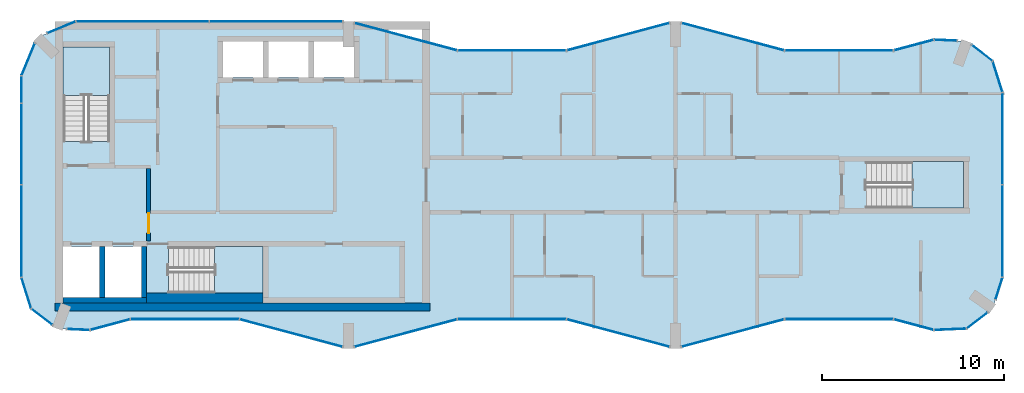
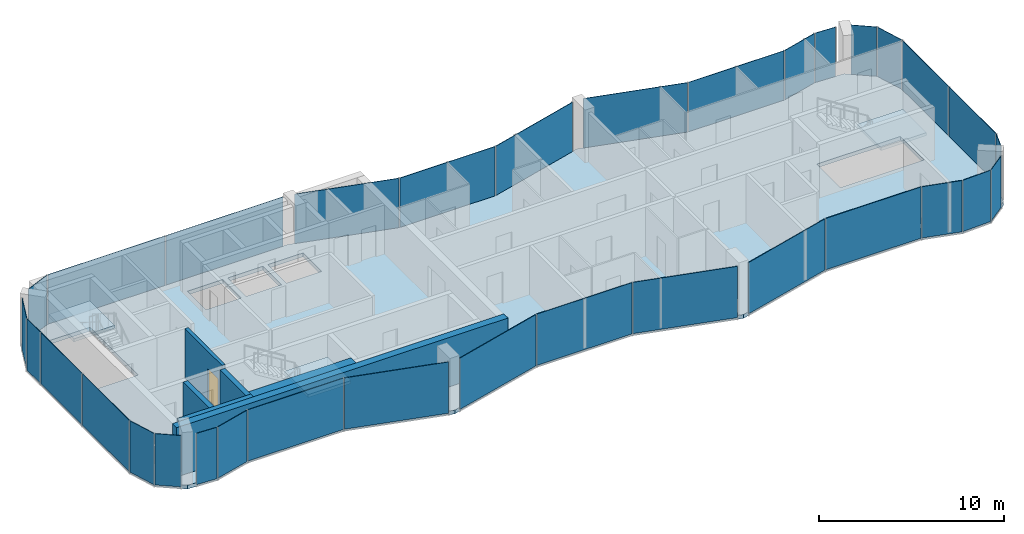
# One storey, part 6 of 10: 33 plates, 6 walls, 4 slabs, 1 door, 1 opening, 32 elements without a shape of their own.
"""IFC4 building model written with IfcOpenShell, lengths in metres."""

from ifc_helpers import new_model, si_unit, direction, frame, frame_2d, origin, origin_2d, place, context, subcontext, project, spatial, polyline, rectangle, outline, extrude, material, layer, layer_set, type_object, element, fill, aggregate, save


model = new_model("IFC4")

# Units and contexts
model_context = context("Model", 3, precision=1e-05, world=origin(), true_north=direction((0.0, 1.0)))
body_context = subcontext(model_context, "Body", "Model", "MODEL_VIEW")
ifc_project = project(units=[si_unit("LENGTHUNIT", "METRE"), si_unit("AREAUNIT", "SQUARE_METRE"), si_unit("VOLUMEUNIT", "CUBIC_METRE"), si_unit("PLANEANGLEUNIT", "RADIAN"), si_unit("MASSUNIT", "GRAM", prefix="KILO")], contexts=[model_context])

# Site, building, storey
site_placement = place(None, origin())
site = spatial("IfcSite", under=ifc_project, at=site_placement, CompositionType="ELEMENT")
building_placement = place(site_placement, origin())
building = spatial("IfcBuilding", under=site, at=building_placement, Name="Plateau Cross Towers", CompositionType="ELEMENT")
storey_placement = place(building_placement, frame((0.0, 0.0, 280.89990234375)))
storey = spatial("IfcBuildingStorey", under=building, at=storey_placement, Name="L74", CompositionType="ELEMENT", Elevation=280.89990234375)

# Curtain wall, plate
ifc_material_1 = material(Name="Dark low-iron glass", Category="glass")
ifc_layer_1 = layer(ifc_material_1, 0.239990234375)
ifc_layer_set_1 = layer_set([ifc_layer_1], Name="Dark low-iron glass")
curtain_wall_type_1 = type_object("IfcCurtainWallType", Name="Curtain wall flush unitised CW-B", PredefinedType="NOTDEFINED", material=ifc_layer_set_1)
curtain_wall_1_placement = place(storey_placement, origin())
curtain_wall_1 = element("IfcCurtainWall", 1, at=curtain_wall_1_placement, inside=storey, type_object=curtain_wall_type_1, Name="ENV/A/L74/A502_10", PredefinedType="NOTDEFINED")
ifc_layer_2 = layer(ifc_material_1, 0.031982421875)
ifc_layer_set_2 = layer_set([ifc_layer_2], Name="Dark low-iron glass")
plate_type_1 = type_object("IfcPlateType", Name="Glass panel 32 flush unitised", PredefinedType="CURTAIN_PANEL", material=ifc_layer_set_2)
plate_1_placement = place(storey_placement, frame((51.125, 1.05078125, -0.1298828125), z_axis=(0.0, 0.0, 1.0), x_axis=(0.999043701491, 0.043722791671, 0.0)))
plate_1 = element("IfcPlate", 2, at=plate_1_placement, type_object=plate_type_1, Name="CW-B panel 1", PredefinedType="CURTAIN_PANEL", context=body_context, shape_type="SweptSolid", body=[
    extrude(rectangle(XDim=1.744140625, YDim=0.031982421875, at=origin_2d()), origin(), (0.0, 0.0, 1.0), 3.3798828125),
])
aggregate(curtain_wall_1, [plate_1])

curtain_wall_2_placement = place(storey_placement, origin())
curtain_wall_2 = element("IfcCurtainWall", 3, at=curtain_wall_2_placement, inside=storey, type_object=curtain_wall_type_1, Name="ENV/A/L74/A520_11", PredefinedType="NOTDEFINED")
plate_2_placement = place(storey_placement, frame((52.60986328125, 1.5380859375, -0.1298828125), z_axis=(0.0, 0.0, 1.0), x_axis=(0.793315514529, 0.608810721331, 0.0)))
plate_2 = element("IfcPlate", 4, at=plate_2_placement, type_object=plate_type_1, Name="CW-B panel 1", PredefinedType="CURTAIN_PANEL", context=body_context, shape_type="SweptSolid", body=[
    extrude(rectangle(XDim=1.41162109375, YDim=0.031982421875, at=origin_2d()), origin(), (0.0, 0.0, 1.0), 3.3798828125),
])
aggregate(curtain_wall_2, [plate_2])

curtain_wall_3_placement = place(storey_placement, origin())
curtain_wall_3 = element("IfcCurtainWall", 5, at=curtain_wall_3_placement, inside=storey, type_object=curtain_wall_type_1, Name="ENV/A/L74/A536_27", PredefinedType="NOTDEFINED")
plate_3_placement = place(storey_placement, frame((53.805419921875, 3.292236328125, -0.1298828125), z_axis=(0.0, 0.0, 1.0), x_axis=(0.300686174994, 0.95372313811, 0.0)))
plate_3 = element("IfcPlate", 6, at=plate_3_placement, type_object=plate_type_1, Name="CW-B panel 1", PredefinedType="CURTAIN_PANEL", context=body_context, shape_type="SweptSolid", body=[
    extrude(rectangle(XDim=1.233642578125, YDim=0.031982421875, at=origin_2d()), origin(), (0.0, 0.0, 1.0), 3.3798828125),
])
aggregate(curtain_wall_3, [plate_3])

# Curtain wall, plates
curtain_wall_4_placement = place(storey_placement, origin())
curtain_wall_4 = element("IfcCurtainWall", 7, at=curtain_wall_4_placement, inside=storey, type_object=curtain_wall_type_1, Name="ENV/A/L74/A540_39", PredefinedType="NOTDEFINED")
plate_4_placement = place(storey_placement, frame((54.0, 6.45458984375, -0.1298828125), z_axis=(0.0, 0.0, 1.0), x_axis=(0.0, 1.0, 0.0)))
plate_4 = element("IfcPlate", 8, at=plate_4_placement, type_object=plate_type_1, Name="CW-B panel 1", PredefinedType="CURTAIN_PANEL", context=body_context, shape_type="SweptSolid", body=[
    extrude(rectangle(XDim=5.03076171875, YDim=0.031982421875, at=origin_2d()), origin(), (0.0, 0.0, 1.0), 3.3798828125),
])
plate_5_placement = place(storey_placement, frame((54.0, 11.54541015625, -0.1298828125), z_axis=(0.0, 0.0, 1.0), x_axis=(0.0, 1.0, 0.0)))
plate_5 = element("IfcPlate", 9, at=plate_5_placement, type_object=plate_type_1, Name="CW-B panel 2", PredefinedType="CURTAIN_PANEL", context=body_context, shape_type="SweptSolid", body=[
    extrude(rectangle(XDim=5.03076171875, YDim=0.031982421875, at=origin_2d()), origin(), (0.0, 0.0, 1.0), 3.3798828125),
])
aggregate(curtain_wall_4, [plate_4, plate_5])

# Curtain wall, plate
curtain_wall_5_placement = place(storey_placement, origin())
curtain_wall_5 = element("IfcCurtainWall", 10, at=curtain_wall_5_placement, inside=storey, type_object=curtain_wall_type_1, Name="ENV/A/L74/A540_141", PredefinedType="NOTDEFINED")
plate_6_placement = place(storey_placement, frame((53.728759765625, 14.951171875, -0.1298828125), z_axis=(0.0, 0.0, 1.0), x_axis=(-0.300686174994, 0.95372313811, 0.0)))
plate_6 = element("IfcPlate", 11, at=plate_6_placement, type_object=plate_type_1, Name="CW-B panel 1", PredefinedType="CURTAIN_PANEL", context=body_context, shape_type="SweptSolid", body=[
    extrude(rectangle(XDim=1.744140625, YDim=0.031982421875, at=origin_2d()), origin(), (0.0, 0.0, 1.0), 3.3798828125),
])
aggregate(curtain_wall_5, [plate_6])

curtain_wall_6_placement = place(storey_placement, origin())
curtain_wall_6 = element("IfcCurtainWall", 12, at=curtain_wall_6_placement, inside=storey, type_object=curtain_wall_type_1, Name="ENV/A/L74/A535_158", PredefinedType="NOTDEFINED")
plate_7_placement = place(storey_placement, frame((52.873779296875, 16.25927734375, -0.1298828125), z_axis=(0.0, 0.0, 1.0), x_axis=(-0.793315514529, 0.608810721331, 0.0)))
plate_7 = element("IfcPlate", 13, at=plate_7_placement, type_object=plate_type_1, Name="CW-B panel 1", PredefinedType="CURTAIN_PANEL", context=body_context, shape_type="SweptSolid", body=[
    extrude(rectangle(XDim=1.41162109375, YDim=0.031982421875, at=origin_2d()), origin(), (0.0, 0.0, 1.0), 3.3798828125),
])
aggregate(curtain_wall_6, [plate_7])

curtain_wall_7_placement = place(storey_placement, origin())
curtain_wall_7 = element("IfcCurtainWall", 14, at=curtain_wall_7_placement, inside=storey, type_object=curtain_wall_type_1, Name="ENV/A/L74/A515_169", PredefinedType="NOTDEFINED")
plate_8_placement = place(storey_placement, frame((50.8701171875, 16.96044921875, -0.1298828125), z_axis=(0.0, 0.0, 1.0), x_axis=(-0.999043701491, 0.043722791671, 0.0)))
plate_8 = element("IfcPlate", 15, at=plate_8_placement, type_object=plate_type_1, Name="CW-B panel 1", PredefinedType="CURTAIN_PANEL", context=body_context, shape_type="SweptSolid", body=[
    extrude(rectangle(XDim=1.233642578125, YDim=0.031982421875, at=origin_2d()), origin(), (0.0, 0.0, 1.0), 3.3798828125),
])
aggregate(curtain_wall_7, [plate_8])

# Curtain wall, plates
curtain_wall_8_placement = place(storey_placement, origin())
curtain_wall_8 = element("IfcCurtainWall", 16, at=curtain_wall_8_placement, inside=storey, type_object=curtain_wall_type_1, Name="ENV/A/L74/A177_180", PredefinedType="NOTDEFINED")
plate_9_placement = place(storey_placement, frame((14.02490234375, 18.0, -0.1298828125), z_axis=(0.0, 0.0, 1.0), x_axis=(-1.0, 0.0, 0.0)))
plate_9 = element("IfcPlate", 17, at=plate_9_placement, type_object=plate_type_1, Name="CW-B panel 1", PredefinedType="CURTAIN_PANEL", context=body_context, shape_type="SweptSolid", body=[
    extrude(rectangle(XDim=7.2900390625, YDim=0.031982421875, at=origin_2d()), origin(), (0.0, 0.0, 1.0), 3.3798828125),
])
plate_10_placement = place(storey_placement, frame((6.675048828125, 18.0, -0.1298828125), z_axis=(0.0, 0.0, 1.0), x_axis=(-1.0, 0.0, 0.0)))
plate_10 = element("IfcPlate", 18, at=plate_10_placement, type_object=plate_type_1, Name="CW-B panel 2", PredefinedType="CURTAIN_PANEL", context=body_context, shape_type="SweptSolid", body=[
    extrude(rectangle(XDim=7.2900390625, YDim=0.031982421875, at=origin_2d()), origin(), (0.0, 0.0, 1.0), 3.3798828125),
])
aggregate(curtain_wall_8, [plate_9, plate_10])

# Curtain wall, plate
curtain_wall_9_placement = place(storey_placement, origin())
curtain_wall_9 = element("IfcCurtainWall", 19, at=curtain_wall_9_placement, inside=storey, type_object=curtain_wall_type_1, Name="ENV/A/L74/A30_180", PredefinedType="NOTDEFINED")
plate_11_placement = place(storey_placement, frame((2.20166015625, 17.66943359375, -0.1298828125), z_axis=(0.0, 0.0, 1.0), x_axis=(-0.923879457699, -0.382683612978, 0.0)))
plate_11 = element("IfcPlate", 20, at=plate_11_placement, type_object=plate_type_1, Name="CW-B panel 1", PredefinedType="CURTAIN_PANEL", context=body_context, shape_type="SweptSolid", body=[
    extrude(rectangle(XDim=1.668212890625, YDim=0.031982421875, at=origin_2d()), origin(), (0.0, 0.0, 1.0), 3.3798828125),
])
aggregate(curtain_wall_9, [plate_11])

curtain_wall_10_placement = place(storey_placement, origin())
curtain_wall_10 = element("IfcCurtainWall", 21, at=curtain_wall_10_placement, inside=storey, type_object=curtain_wall_type_1, Name="ENV/A/L74/A7_168", PredefinedType="NOTDEFINED")
plate_12_placement = place(storey_placement, frame((0.3740234375, 15.90283203125, -0.1298828125), z_axis=(0.0, 0.0, 1.0), x_axis=(-0.382683612978, -0.923879457699, 0.0)))
plate_12 = element("IfcPlate", 22, at=plate_12_placement, type_object=plate_type_1, Name="CW-B panel 1", PredefinedType="CURTAIN_PANEL", context=body_context, shape_type="SweptSolid", body=[
    extrude(rectangle(XDim=1.894775390625, YDim=0.031982421875, at=origin_2d()), origin(), (0.0, 0.0, 1.0), 3.3798828125),
])
aggregate(curtain_wall_10, [plate_12])

# Curtain wall, plates
curtain_wall_11_placement = place(storey_placement, origin())
curtain_wall_11 = element("IfcCurtainWall", 23, at=curtain_wall_11_placement, inside=storey, type_object=curtain_wall_type_1, Name="ENV/A/L74/A0_150", PredefinedType="NOTDEFINED")
plate_13_placement = place(storey_placement, frame((0.0, 14.25, -0.1298828125), z_axis=(0.0, 0.0, 1.0), x_axis=(0.0, -1.0, 0.0)))
plate_13 = element("IfcPlate", 24, at=plate_13_placement, type_object=plate_type_1, Name="CW-B panel 1", PredefinedType="CURTAIN_PANEL", context=body_context, shape_type="SweptSolid", body=[
    extrude(rectangle(XDim=1.43994140625, YDim=0.031982421875, at=origin_2d()), origin(), (0.0, 0.0, 1.0), 3.3798828125),
])
plate_14_placement = place(storey_placement, frame((0.0, 11.25, -0.1298828125), z_axis=(0.0, 0.0, 1.0), x_axis=(0.0, -1.0, 0.0)))
plate_14 = element("IfcPlate", 25, at=plate_14_placement, type_object=plate_type_1, Name="CW-B panel 2", PredefinedType="CURTAIN_PANEL", context=body_context, shape_type="SweptSolid", body=[
    extrude(rectangle(XDim=4.43994140625, YDim=0.031982421875, at=origin_2d()), origin(), (0.0, 0.0, 1.0), 3.3798828125),
])
plate_15_placement = place(storey_placement, frame((0.0, 6.45458984375, -0.1298828125), z_axis=(0.0, 0.0, 1.0), x_axis=(0.0, -1.0, 0.0)))
plate_15 = element("IfcPlate", 26, at=plate_15_placement, type_object=plate_type_1, Name="CW-B panel 3", PredefinedType="CURTAIN_PANEL", context=body_context, shape_type="SweptSolid", body=[
    extrude(rectangle(XDim=5.03076171875, YDim=0.031982421875, at=origin_2d()), origin(), (0.0, 0.0, 1.0), 3.3798828125),
])
aggregate(curtain_wall_11, [plate_13, plate_14, plate_15])

# Curtain wall, plate
curtain_wall_12_placement = place(storey_placement, origin())
curtain_wall_12 = element("IfcCurtainWall", 27, at=curtain_wall_12_placement, inside=storey, type_object=curtain_wall_type_1, Name="ENV/A/L74/A0_39", PredefinedType="NOTDEFINED")
plate_16_placement = place(storey_placement, frame((0.271240234375, 3.048828125, -0.1298828125), z_axis=(0.0, 0.0, 1.0), x_axis=(0.300686174994, -0.95372313811, 0.0)))
plate_16 = element("IfcPlate", 28, at=plate_16_placement, type_object=plate_type_1, Name="CW-B panel 1", PredefinedType="CURTAIN_PANEL", context=body_context, shape_type="SweptSolid", body=[
    extrude(rectangle(XDim=1.744140625, YDim=0.031982421875, at=origin_2d()), origin(), (0.0, 0.0, 1.0), 3.3798828125),
])
aggregate(curtain_wall_12, [plate_16])

curtain_wall_13_placement = place(storey_placement, origin())
curtain_wall_13 = element("IfcCurtainWall", 29, at=curtain_wall_13_placement, inside=storey, type_object=curtain_wall_type_1, Name="ENV/A/L74/A5_22", PredefinedType="NOTDEFINED")
plate_17_placement = place(storey_placement, frame((1.126220703125, 1.74072265625, -0.1298828125), z_axis=(0.0, 0.0, 1.0), x_axis=(0.793315514529, -0.608810721331, 0.0)))
plate_17 = element("IfcPlate", 30, at=plate_17_placement, type_object=plate_type_1, Name="CW-B panel 1", PredefinedType="CURTAIN_PANEL", context=body_context, shape_type="SweptSolid", body=[
    extrude(rectangle(XDim=1.41162109375, YDim=0.031982421875, at=origin_2d()), origin(), (0.0, 0.0, 1.0), 3.3798828125),
])
aggregate(curtain_wall_13, [plate_17])

curtain_wall_14_placement = place(storey_placement, origin())
curtain_wall_14 = element("IfcCurtainWall", 31, at=curtain_wall_14_placement, inside=storey, type_object=curtain_wall_type_1, Name="ENV/A/L74/A25_11", PredefinedType="NOTDEFINED")
plate_18_placement = place(storey_placement, frame((3.1298828125, 1.03955078125, -0.1298828125), z_axis=(0.0, 0.0, 1.0), x_axis=(0.999043701491, -0.043722791671, 0.0)))
plate_18 = element("IfcPlate", 32, at=plate_18_placement, type_object=plate_type_1, Name="CW-B panel 1", PredefinedType="CURTAIN_PANEL", context=body_context, shape_type="SweptSolid", body=[
    extrude(rectangle(XDim=1.233642578125, YDim=0.031982421875, at=origin_2d()), origin(), (0.0, 0.0, 1.0), 3.3798828125),
])
aggregate(curtain_wall_14, [plate_18])

ifc_layer_3 = layer(ifc_material_1, 0.260009765625)
ifc_layer_set_3 = layer_set([ifc_layer_3], Name="Dark low-iron glass")
curtain_wall_type_2 = type_object("IfcCurtainWallType", Name="Curtain wall fluted unitised CW-A", PredefinedType="NOTDEFINED", material=ifc_layer_set_3)
curtain_wall_15_placement = place(storey_placement, origin())
curtain_wall_15 = element("IfcCurtainWall", 33, at=curtain_wall_15_placement, inside=storey, type_object=curtain_wall_type_2, Name="ENV/A/L74/A38_10", PredefinedType="NOTDEFINED")
ifc_layer_4 = layer(ifc_material_1, 0.035888671875)
ifc_layer_set_4 = layer_set([ifc_layer_4], Name="Dark low-iron glass")
plate_type_2 = type_object("IfcPlateType", Name="Glass panel 36 fluted unitised", PredefinedType="CURTAIN_PANEL", material=ifc_layer_set_4)
plate_19_placement = place(storey_placement, frame((4.887939453125, 1.30908203125, -0.1298828125), z_axis=(0.0, 0.0, 1.0), x_axis=(0.965957962328, 0.258699081978, 0.0)))
plate_19 = element("IfcPlate", 34, at=plate_19_placement, type_object=plate_type_2, Name="CW-A panel 1", PredefinedType="CURTAIN_PANEL", context=body_context, shape_type="SweptSolid", body=[
    extrude(rectangle(XDim=2.2421875, YDim=0.035888671875, at=origin_2d()), origin(), (0.0, 0.0, 1.0), 3.3798828125),
])
aggregate(curtain_wall_15, [plate_19])

curtain_wall_16_placement = place(storey_placement, origin())
curtain_wall_16 = element("IfcCurtainWall", 35, at=curtain_wall_16_placement, inside=storey, type_object=curtain_wall_type_2, Name="ENV/A/L74/A60_16", PredefinedType="NOTDEFINED")
plate_20_placement = place(storey_placement, frame((9.0, 1.60693359375, -0.1298828125), z_axis=(0.0, 0.0, 1.0), x_axis=(1.0, 0.0, 0.0)))
plate_20 = element("IfcPlate", 36, at=plate_20_placement, type_object=plate_type_2, Name="CW-A panel 1", PredefinedType="CURTAIN_PANEL", context=body_context, shape_type="SweptSolid", body=[
    extrude(rectangle(XDim=5.93994140625, YDim=0.035888671875, at=origin_2d()), origin(), (0.0, 0.0, 1.0), 3.3798828125),
])
aggregate(curtain_wall_16, [plate_20])

curtain_wall_17_placement = place(storey_placement, origin())
curtain_wall_17 = element("IfcCurtainWall", 37, at=curtain_wall_17_placement, inside=storey, type_object=curtain_wall_type_2, Name="ENV/A/L74/A120_16", PredefinedType="NOTDEFINED")
plate_21_placement = place(storey_placement, frame((14.841064453125, 0.845947265625, -0.1298828125), z_axis=(0.0, 0.0, 1.0), x_axis=(0.965957983404, -0.258699003279, 0.0)))
plate_21 = element("IfcPlate", 38, at=plate_21_placement, type_object=plate_type_2, Name="CW-A panel 1", PredefinedType="CURTAIN_PANEL", context=body_context, shape_type="SweptSolid", body=[
    extrude(rectangle(XDim=5.822265625, YDim=0.035888671875, at=origin_2d()), origin(), (0.0, 0.0, 1.0), 3.3798828125),
])
aggregate(curtain_wall_17, [plate_21])

curtain_wall_18_placement = place(storey_placement, origin())
curtain_wall_18 = element("IfcCurtainWall", 39, at=curtain_wall_18_placement, inside=storey, type_object=curtain_wall_type_2, Name="ENV/A/L74/A183_1", PredefinedType="NOTDEFINED")
plate_22_placement = place(storey_placement, frame((21.158935546875, 0.845947265625, -0.1298828125), z_axis=(0.0, 0.0, 1.0), x_axis=(0.965957983404, 0.258699003279, 0.0)))
plate_22 = element("IfcPlate", 40, at=plate_22_placement, type_object=plate_type_2, Name="CW-A panel 1", PredefinedType="CURTAIN_PANEL", context=body_context, shape_type="SweptSolid", body=[
    extrude(rectangle(XDim=5.822265625, YDim=0.035888671875, at=origin_2d()), origin(), (0.0, 0.0, 1.0), 3.3798828125),
])
aggregate(curtain_wall_18, [plate_22])

curtain_wall_19_placement = place(storey_placement, origin())
curtain_wall_19 = element("IfcCurtainWall", 41, at=curtain_wall_19_placement, inside=storey, type_object=curtain_wall_type_2, Name="ENV/A/L74/A240_16", PredefinedType="NOTDEFINED")
plate_23_placement = place(storey_placement, frame((27.0, 1.60693359375, -0.1298828125), z_axis=(0.0, 0.0, 1.0), x_axis=(1.0, 0.0, 0.0)))
plate_23 = element("IfcPlate", 42, at=plate_23_placement, type_object=plate_type_2, Name="CW-A panel 1", PredefinedType="CURTAIN_PANEL", context=body_context, shape_type="SweptSolid", body=[
    extrude(rectangle(XDim=5.93994140625, YDim=0.035888671875, at=origin_2d()), origin(), (0.0, 0.0, 1.0), 3.3798828125),
])
aggregate(curtain_wall_19, [plate_23])

curtain_wall_20_placement = place(storey_placement, origin())
curtain_wall_20 = element("IfcCurtainWall", 43, at=curtain_wall_20_placement, inside=storey, type_object=curtain_wall_type_2, Name="ENV/A/L74/A300_16", PredefinedType="NOTDEFINED")
plate_24_placement = place(storey_placement, frame((32.841064453125, 0.845947265625, -0.1298828125), z_axis=(0.0, 0.0, 1.0), x_axis=(0.965957983404, -0.258699003279, 0.0)))
plate_24 = element("IfcPlate", 44, at=plate_24_placement, type_object=plate_type_2, Name="CW-A panel 1", PredefinedType="CURTAIN_PANEL", context=body_context, shape_type="SweptSolid", body=[
    extrude(rectangle(XDim=5.822265625, YDim=0.035888671875, at=origin_2d()), origin(), (0.0, 0.0, 1.0), 3.3798828125),
])
aggregate(curtain_wall_20, [plate_24])

curtain_wall_21_placement = place(storey_placement, origin())
curtain_wall_21 = element("IfcCurtainWall", 45, at=curtain_wall_21_placement, inside=storey, type_object=curtain_wall_type_2, Name="ENV/A/L74/A363_1", PredefinedType="NOTDEFINED")
plate_25_placement = place(storey_placement, frame((39.158935546875, 0.845947265625, -0.1298828125), z_axis=(0.0, 0.0, 1.0), x_axis=(0.965957983404, 0.258699003279, 0.0)))
plate_25 = element("IfcPlate", 46, at=plate_25_placement, type_object=plate_type_2, Name="CW-A panel 1", PredefinedType="CURTAIN_PANEL", context=body_context, shape_type="SweptSolid", body=[
    extrude(rectangle(XDim=5.822265625, YDim=0.035888671875, at=origin_2d()), origin(), (0.0, 0.0, 1.0), 3.3798828125),
])
aggregate(curtain_wall_21, [plate_25])

curtain_wall_22_placement = place(storey_placement, origin())
curtain_wall_22 = element("IfcCurtainWall", 47, at=curtain_wall_22_placement, inside=storey, type_object=curtain_wall_type_2, Name="ENV/A/L74/A420_16", PredefinedType="NOTDEFINED")
plate_26_placement = place(storey_placement, frame((45.0, 1.60693359375, -0.1298828125), z_axis=(0.0, 0.0, 1.0), x_axis=(1.0, 0.0, 0.0)))
plate_26 = element("IfcPlate", 48, at=plate_26_placement, type_object=plate_type_2, Name="CW-A panel 1", PredefinedType="CURTAIN_PANEL", context=body_context, shape_type="SweptSolid", body=[
    extrude(rectangle(XDim=5.93994140625, YDim=0.035888671875, at=origin_2d()), origin(), (0.0, 0.0, 1.0), 3.3798828125),
])
aggregate(curtain_wall_22, [plate_26])

curtain_wall_23_placement = place(storey_placement, origin())
curtain_wall_23 = element("IfcCurtainWall", 49, at=curtain_wall_23_placement, inside=storey, type_object=curtain_wall_type_2, Name="ENV/A/L74/A480_16", PredefinedType="NOTDEFINED")
plate_27_placement = place(storey_placement, frame((49.112060546875, 1.30908203125, -0.1298828125), z_axis=(0.0, 0.0, 1.0), x_axis=(0.965957962328, -0.258699081978, 0.0)))
plate_27 = element("IfcPlate", 50, at=plate_27_placement, type_object=plate_type_2, Name="CW-A panel 1", PredefinedType="CURTAIN_PANEL", context=body_context, shape_type="SweptSolid", body=[
    extrude(rectangle(XDim=2.2421875, YDim=0.035888671875, at=origin_2d()), origin(), (0.0, 0.0, 1.0), 3.3798828125),
])
aggregate(curtain_wall_23, [plate_27])

curtain_wall_24_placement = place(storey_placement, origin())
curtain_wall_24 = element("IfcCurtainWall", 51, at=curtain_wall_24_placement, inside=storey, type_object=curtain_wall_type_2, Name="ENV/A/L74/A502_170", PredefinedType="NOTDEFINED")
plate_28_placement = place(storey_placement, frame((49.112060546875, 16.69091796875, -0.1298828125), z_axis=(0.0, 0.0, 1.0), x_axis=(-0.965957962328, -0.258699081978, 0.0)))
plate_28 = element("IfcPlate", 52, at=plate_28_placement, type_object=plate_type_2, Name="CW-A panel 1", PredefinedType="CURTAIN_PANEL", context=body_context, shape_type="SweptSolid", body=[
    extrude(rectangle(XDim=2.2421875, YDim=0.035888671875, at=origin_2d()), origin(), (0.0, 0.0, 1.0), 3.3798828125),
])
aggregate(curtain_wall_24, [plate_28])

curtain_wall_25_placement = place(storey_placement, origin())
curtain_wall_25 = element("IfcCurtainWall", 53, at=curtain_wall_25_placement, inside=storey, type_object=curtain_wall_type_2, Name="ENV/A/L74/A480_164", PredefinedType="NOTDEFINED")
plate_29_placement = place(storey_placement, frame((45.0, 16.39306640625, -0.1298828125), z_axis=(0.0, 0.0, 1.0), x_axis=(-1.0, 0.0, 0.0)))
plate_29 = element("IfcPlate", 54, at=plate_29_placement, type_object=plate_type_2, Name="CW-A panel 1", PredefinedType="CURTAIN_PANEL", context=body_context, shape_type="SweptSolid", body=[
    extrude(rectangle(XDim=5.93994140625, YDim=0.035888671875, at=origin_2d()), origin(), (0.0, 0.0, 1.0), 3.3798828125),
])
aggregate(curtain_wall_25, [plate_29])

curtain_wall_26_placement = place(storey_placement, origin())
curtain_wall_26 = element("IfcCurtainWall", 55, at=curtain_wall_26_placement, inside=storey, type_object=curtain_wall_type_2, Name="ENV/A/L74/A420_164", PredefinedType="NOTDEFINED")
plate_30_placement = place(storey_placement, frame((39.158935546875, 17.154052734375, -0.1298828125), z_axis=(0.0, 0.0, 1.0), x_axis=(-0.965957983404, 0.258699003279, 0.0)))
plate_30 = element("IfcPlate", 56, at=plate_30_placement, type_object=plate_type_2, Name="CW-A panel 1", PredefinedType="CURTAIN_PANEL", context=body_context, shape_type="SweptSolid", body=[
    extrude(rectangle(XDim=5.822265625, YDim=0.035888671875, at=origin_2d()), origin(), (0.0, 0.0, 1.0), 3.3798828125),
])
aggregate(curtain_wall_26, [plate_30])

curtain_wall_27_placement = place(storey_placement, origin())
curtain_wall_27 = element("IfcCurtainWall", 57, at=curtain_wall_27_placement, inside=storey, type_object=curtain_wall_type_2, Name="ENV/A/L74/A357_179", PredefinedType="NOTDEFINED")
plate_31_placement = place(storey_placement, frame((32.841064453125, 17.154052734375, -0.1298828125), z_axis=(0.0, 0.0, 1.0), x_axis=(-0.965957983404, -0.258699003279, 0.0)))
plate_31 = element("IfcPlate", 58, at=plate_31_placement, type_object=plate_type_2, Name="CW-A panel 1", PredefinedType="CURTAIN_PANEL", context=body_context, shape_type="SweptSolid", body=[
    extrude(rectangle(XDim=5.822265625, YDim=0.035888671875, at=origin_2d()), origin(), (0.0, 0.0, 1.0), 3.3798828125),
])
aggregate(curtain_wall_27, [plate_31])

curtain_wall_28_placement = place(storey_placement, origin())
curtain_wall_28 = element("IfcCurtainWall", 59, at=curtain_wall_28_placement, inside=storey, type_object=curtain_wall_type_2, Name="ENV/A/L74/A300_164", PredefinedType="NOTDEFINED")
plate_32_placement = place(storey_placement, frame((27.0, 16.39306640625, -0.1298828125), z_axis=(0.0, 0.0, 1.0), x_axis=(-1.0, 0.0, 0.0)))
plate_32 = element("IfcPlate", 60, at=plate_32_placement, type_object=plate_type_2, Name="CW-A panel 1", PredefinedType="CURTAIN_PANEL", context=body_context, shape_type="SweptSolid", body=[
    extrude(rectangle(XDim=5.93994140625, YDim=0.035888671875, at=origin_2d()), origin(), (0.0, 0.0, 1.0), 3.3798828125),
])
aggregate(curtain_wall_28, [plate_32])

curtain_wall_29_placement = place(storey_placement, origin())
curtain_wall_29 = element("IfcCurtainWall", 61, at=curtain_wall_29_placement, inside=storey, type_object=curtain_wall_type_2, Name="ENV/A/L74/A240_164", PredefinedType="NOTDEFINED")
plate_33_placement = place(storey_placement, frame((21.158935546875, 17.154052734375, -0.1298828125), z_axis=(0.0, 0.0, 1.0), x_axis=(-0.965957983404, 0.258699003279, 0.0)))
plate_33 = element("IfcPlate", 62, at=plate_33_placement, type_object=plate_type_2, Name="CW-A panel 1", PredefinedType="CURTAIN_PANEL", context=body_context, shape_type="SweptSolid", body=[
    extrude(rectangle(XDim=5.822265625, YDim=0.035888671875, at=origin_2d()), origin(), (0.0, 0.0, 1.0), 3.3798828125),
])
aggregate(curtain_wall_29, [plate_33])

# Slab
ifc_material_2 = material(Name="Concrete C40/50", Category="concrete")
ifc_layer_5 = layer(ifc_material_2, 0.25)
ifc_layer_set_5 = layer_set([ifc_layer_5], Name="Concrete C40/50")
slab_type_1 = type_object("IfcSlabType", Name="Post-tensioned flat plate slab 250", PredefinedType="FLOOR", material=ifc_layer_set_5)
slab_1_placement = place(storey_placement, frame((0.0, 0.0, -0.25)))
element("IfcSlab", 63, at=slab_1_placement, inside=storey, type_object=slab_type_1, Name="SL-A-L74", PredefinedType="FLOOR", context=body_context, shape_type="SweptSolid", body=[
    extrude(outline(polyline([(1.9736328125, 1.090087890625), (0.54248046875, 2.1884765625), (0.0, 3.9091796875), (0.0, 15.0), (0.878662109375, 17.121337890625), (3.0, 18.0), (18.0, 18.0), (24.0, 16.39306640625), (30.0, 16.39306640625), (36.0, 18.0), (42.0, 16.39306640625), (48.0, 16.39306640625), (50.223876953125, 16.98876953125), (52.0263671875, 16.909912109375), (53.45751953125, 15.8115234375), (54.0, 14.0908203125), (54.0, 3.9091796875), (53.45751953125, 2.1884765625), (52.0263671875, 1.090087890625), (50.223876953125, 1.01123046875), (48.0, 1.60693359375), (42.0, 1.60693359375), (36.0, 0.0), (30.0, 1.60693359375), (24.0, 1.60693359375), (18.0, 0.0), (12.0, 1.60693359375), (6.0, 1.60693359375), (3.776123046875, 1.01123046875), (1.9736328125, 1.090087890625)]), holes=[polyline([(4.300048828125, 5.60009765625), (2.300048828125, 5.60009765625), (2.300048828125, 2.800048828125), (4.300048828125, 2.800048828125), (4.300048828125, 5.60009765625)]), polyline([(6.60009765625, 5.60009765625), (4.60009765625, 5.60009765625), (4.60009765625, 2.800048828125), (6.60009765625, 2.800048828125), (6.60009765625, 5.60009765625)]), polyline([(13.300048828125, 5.60009765625), (8.10009765625, 5.60009765625), (8.10009765625, 3.050048828125), (13.300048828125, 3.050048828125), (13.300048828125, 5.60009765625)]), polyline([(51.699951171875, 10.27490234375), (46.5, 10.27490234375), (46.5, 7.72509765625), (51.699951171875, 7.72509765625), (51.699951171875, 10.27490234375)]), polyline([(2.300048828125, 16.60009765625), (2.300048828125, 11.39990234375), (4.85009765625, 11.39990234375), (4.85009765625, 16.60009765625), (2.300048828125, 16.60009765625)]), polyline([(13.300048828125, 16.89990234375), (11.10009765625, 16.89990234375), (11.10009765625, 14.89990234375), (13.300048828125, 14.89990234375), (13.300048828125, 16.89990234375)]), polyline([(15.800048828125, 16.89990234375), (13.60009765625, 16.89990234375), (13.60009765625, 14.89990234375), (15.800048828125, 14.89990234375), (15.800048828125, 16.89990234375)]), polyline([(18.300048828125, 16.89990234375), (16.10009765625, 16.89990234375), (16.10009765625, 14.89990234375), (18.300048828125, 14.89990234375), (18.300048828125, 16.89990234375)])]), origin(), (0.0, 0.0, 1.0), 0.25),
])

# Stair, slab
stair_type = type_object("IfcStairType", Name="ST-TWR", PredefinedType="HALF_TURN_STAIR", material=ifc_material_2)
stair_1_placement = place(storey_placement, origin())
stair_1 = element("IfcStair", 64, at=stair_1_placement, inside=storey, type_object=stair_type, Name="L74 Protected Exit Stair ST-1", PredefinedType="HALF_TURN_STAIR")
ifc_layer_6 = layer(ifc_material_2, 0.199951171875)
ifc_layer_set_6 = layer_set([ifc_layer_6], Name="Concrete C40/50")
slab_type_2 = type_object("IfcSlabType", Name="SL-LANDING", PredefinedType="LANDING", material=ifc_layer_set_6)
slab_2_placement = place(storey_placement, frame((0.0, 0.0, 1.550048828125)))
slab_2 = element("IfcSlab", 65, at=slab_2_placement, type_object=slab_type_2, Name="ST-1 landing 1", PredefinedType="LANDING", context=body_context, shape_type="SweptSolid", body=[
    extrude(outline(polyline([(4.85009765625, 13.919921875), (4.85009765625, 16.60009765625), (2.300048828125, 16.60009765625), (2.300048828125, 13.919921875), (4.85009765625, 13.919921875)])), origin(), (0.0, 0.0, 1.0), 0.199951171875),
])
aggregate(stair_1, [slab_2])

stair_2_placement = place(storey_placement, origin())
stair_2 = element("IfcStair", 66, at=stair_2_placement, inside=storey, type_object=stair_type, Name="L74 Protected Exit Stair ST-2", PredefinedType="HALF_TURN_STAIR")
slab_3_placement = place(storey_placement, frame((0.0, 0.0, 1.550048828125)))
slab_3 = element("IfcSlab", 67, at=slab_3_placement, type_object=slab_type_2, Name="ST-2 landing 1", PredefinedType="LANDING", context=body_context, shape_type="SweptSolid", body=[
    extrude(outline(polyline([(10.6201171875, 3.050048828125), (13.300048828125, 3.050048828125), (13.300048828125, 5.60009765625), (10.6201171875, 5.60009765625), (10.6201171875, 3.050048828125)])), origin(), (0.0, 0.0, 1.0), 0.199951171875),
])
aggregate(stair_2, [slab_3])

stair_3_placement = place(storey_placement, origin())
stair_3 = element("IfcStair", 68, at=stair_3_placement, inside=storey, type_object=stair_type, Name="L74 Protected Exit Stair E", PredefinedType="HALF_TURN_STAIR")
slab_4_placement = place(storey_placement, frame((0.0, 0.0, 1.550048828125)))
slab_4 = element("IfcSlab", 69, at=slab_4_placement, type_object=slab_type_2, Name="ES-E landing 1", PredefinedType="LANDING", context=body_context, shape_type="SweptSolid", body=[
    extrude(outline(polyline([(49.02001953125, 7.72509765625), (51.85009765625, 7.72509765625), (51.85009765625, 10.27490234375), (49.02001953125, 10.27490234375), (49.02001953125, 7.72509765625)])), origin(), (0.0, 0.0, 1.0), 0.199951171875),
])
aggregate(stair_3, [slab_4])

# Wall, opening, door
ifc_material_3 = material(Name="Concrete block, plastered both sides", Category="concrete")
ifc_layer_7 = layer(ifc_material_3, 0.199951171875)
ifc_layer_set_7 = layer_set([ifc_layer_7], Name="Concrete block, plastered both sides")
wall_type_1 = type_object("IfcWallType", Name="Core partition 200", PredefinedType="PARTITIONING", material=ifc_layer_set_7)
wall_1_placement = place(storey_placement, frame((7.0, 5.89990234375, 0.0), z_axis=(0.0, 0.0, 1.0), x_axis=(0.0, 1.0, 0.0)))
wall_1 = element("IfcWall", 70, at=wall_1_placement, inside=storey, type_object=wall_type_1, Name="Core partition", PredefinedType="PARTITIONING", context=body_context, shape_type="SweptSolid", body=[
    extrude(rectangle(XDim=4.0, YDim=0.199951171875, at=frame_2d((2.0, 0.0))), origin(), (0.0, 0.0, 1.0), 3.25),
])
opening_placement = place(wall_1_placement, frame((0.449951171875, 0.0, 0.0)))
opening = element("IfcOpeningElement", 71, at=opening_placement, cuts=wall_1, Name="Opening FFD", PredefinedType="OPENING", context=body_context, shape_type="SweptSolid", body=[
    extrude(rectangle(XDim=1.10009765625, YDim=2.10009765625, at=frame_2d((0.550048828125, 1.050048828125))), frame((0.0, 0.10986328125, 0.0), z_axis=(0.0, -1.0, 0.0), x_axis=(1.0, 0.0, 0.0)), (0.0, 0.0, 1.0), 0.219970703125),
])
ifc_material_4 = material(Name="Steel, fire-resisting leaf", Category="steel")
door_type = type_object("IfcDoorType", Name="Firefighting lobby door 1100", OperationType="NOTDEFINED", PredefinedType="DOOR", material=ifc_material_4)
door_placement = place(opening_placement, origin())
door = element("IfcDoor", 72, at=door_placement, inside=storey, type_object=door_type, Name="Firefighting lobby door FFD", OperationType="SINGLE_SWING_LEFT", OverallHeight=2.10009765625, OverallWidth=1.10009765625, PredefinedType="DOOR", context=body_context, shape_type="SweptSolid", body=[
    extrude(rectangle(XDim=1.10009765625, YDim=2.10009765625, at=frame_2d((0.550048828125, 1.050048828125))), frame((0.0, 0.02490234375, 0.0), z_axis=(0.0, -1.0, 0.0), x_axis=(1.0, 0.0, 0.0)), (0.0, 0.0, 1.0), 0.050048828125),
])
fill(opening, door)

# Walls
ifc_material_5 = material(Name="Concrete C60/75", Category="concrete")
ifc_layer_8 = layer(ifc_material_5, 0.300048828125)
ifc_layer_set_8 = layer_set([ifc_layer_8], Name="Concrete C60/75")
wall_type_2 = type_object("IfcWallType", Name="Core shaft wall 300", PredefinedType="SHEAR", material=ifc_layer_set_8)
wall_2_placement = place(storey_placement, frame((2.300048828125, 2.64990234375, 0.0), z_axis=(0.0, 0.0, 1.0), x_axis=(1.0, 0.0, 0.0)))
element("IfcWall", 73, at=wall_2_placement, inside=storey, type_object=wall_type_2, Name="A-sb-back1@L74", PredefinedType="SHEAR", context=body_context, shape_type="SweptSolid", body=[
    extrude(rectangle(XDim=4.599853515625, YDim=0.300048828125, at=frame_2d((2.2998046875, 0.0))), origin(), (0.0, 0.0, 1.0), 3.25),
])
for number, where, z_axis, x_axis, name in (
    (74, (4.449951171875, 2.800048828125, 0.0), (0.0, 0.0, 1.0), (0.0, 1.0, 0.0), "A-sb-v1@L74"),
    (75, (6.75, 2.800048828125, 0.0), (0.0, 0.0, 1.0), (0.0, 1.0, 0.0), "A-sb-v2@L74"),
):
    element("IfcWall", number, at=place(storey_placement, frame(where, z_axis=z_axis, x_axis=x_axis)), inside=storey, type_object=wall_type_2, Name=name, PredefinedType="SHEAR", context=body_context, shape_type="SweptSolid", body=[
        extrude(rectangle(XDim=2.800048828125, YDim=0.300048828125, at=frame_2d((1.39990234375, 0.0))), origin(), (0.0, 0.0, 1.0), 3.25),
    ])
ifc_layer_9 = layer(ifc_material_5, 0.550048828125)
ifc_layer_set_9 = layer_set([ifc_layer_9], Name="Concrete C60/75")
wall_type_3 = type_object("IfcWallType", Name="Core shaft wall 550", PredefinedType="SHEAR", material=ifc_layer_set_9)
wall_3_placement = place(storey_placement, frame((6.89990234375, 2.77490234375, 0.0), z_axis=(0.0, 0.0, 1.0), x_axis=(1.0, 0.0, 0.0)))
element("IfcWall", 76, at=wall_3_placement, inside=storey, type_object=wall_type_3, Name="A-sb-back2@L74", PredefinedType="SHEAR", context=body_context, shape_type="SweptSolid", body=[
    extrude(rectangle(XDim=6.400146484375, YDim=0.550048828125, at=frame_2d((3.2001953125, 0.0))), origin(), (0.0, 0.0, 1.0), 3.25),
])
ifc_layer_10 = layer(ifc_material_5, 0.449951171875)
ifc_layer_set_10 = layer_set([ifc_layer_10], Name="Concrete C60/75")
wall_type_4 = type_object("IfcWallType", Name="Core shell wall 450", PredefinedType="SHEAR", material=ifc_layer_set_10)
wall_4_placement = place(storey_placement, frame((1.85009765625, 2.27490234375, 0.0), z_axis=(0.0, 0.0, 1.0), x_axis=(1.0, 0.0, 0.0)))
element("IfcWall", 77, at=wall_4_placement, inside=storey, type_object=wall_type_4, Name="A-core-S@L74", PredefinedType="SHEAR", context=body_context, shape_type="SweptSolid", body=[
    extrude(rectangle(XDim=20.64990234375, YDim=0.449951171875, at=frame_2d((10.324951171875, 0.0))), origin(), (0.0, 0.0, 1.0), 3.25),
])

save(model, "model.ifc")
